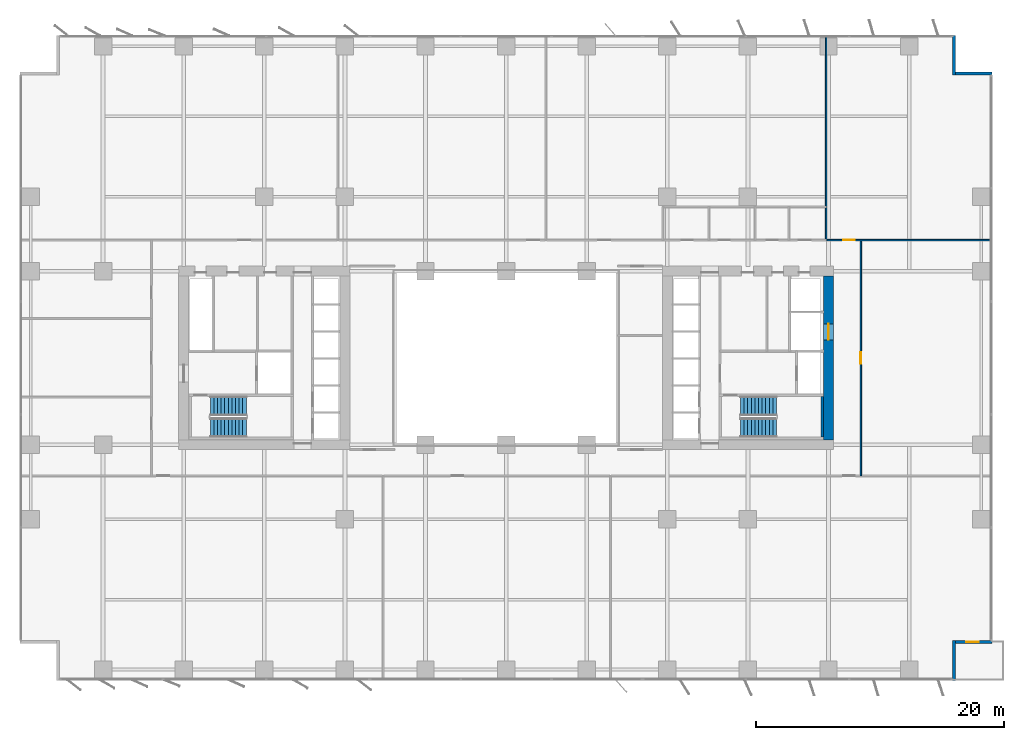
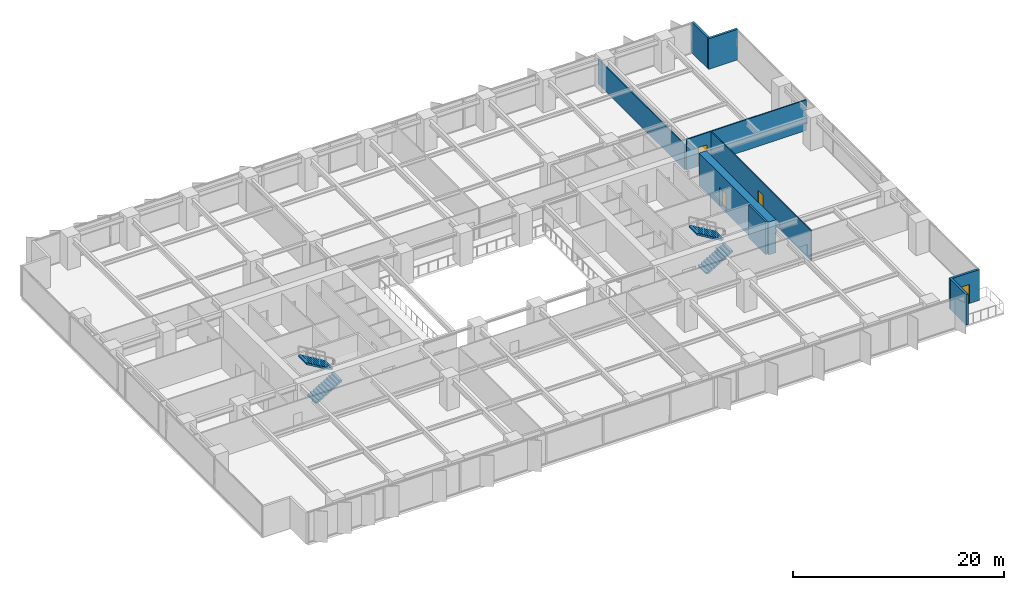
# One storey, part 16 of 20: 9 walls, 4 doors, 4 stair flights, 4 openings, 2 elements without a shape of their own.
"""IFC4 building model written with IfcOpenShell, lengths in metres."""

from ifc_helpers import new_model, si_unit, direction, frame, frame_2d, origin, place, context, subcontext, project, spatial, polyline, rectangle, outline, extrude, material, layer, layer_set, type_object, element, fill, aggregate, save


model = new_model("IFC4")

# Units and contexts
model_context = context("Model", 3, precision=1e-05, world=origin(), true_north=direction((0.0, 1.0)))
body_context = subcontext(model_context, "Body", "Model", "MODEL_VIEW")
ifc_project = project(units=[si_unit("LENGTHUNIT", "METRE"), si_unit("AREAUNIT", "SQUARE_METRE"), si_unit("VOLUMEUNIT", "CUBIC_METRE"), si_unit("PLANEANGLEUNIT", "RADIAN"), si_unit("MASSUNIT", "GRAM", prefix="KILO")], contexts=[model_context])

# Site, building, storey
site_placement = place(None, origin())
site = spatial("IfcSite", under=ifc_project, at=site_placement, CompositionType="ELEMENT")
building_placement = place(site_placement, origin())
building = spatial("IfcBuilding", under=site, at=building_placement, Name="Putna Gate Headquarters", CompositionType="ELEMENT")
storey_placement = place(building_placement, frame((0.0, 0.0, 54.39990234375)))
storey = spatial("IfcBuildingStorey", under=building, at=storey_placement, Name="L12", CompositionType="ELEMENT", Elevation=54.39990234375)

# Wall, opening, door
ifc_material_1 = material(Name="Concrete C60/75", Category="concrete")
ifc_layer_1 = layer(ifc_material_1, 0.800048828125)
ifc_layer_set_1 = layer_set([ifc_layer_1], Name="Concrete C60/75")
wall_type_1 = type_object("IfcWallType", Name="WALL-CORE-800", PredefinedType="SHEAR", material=ifc_layer_set_1)
wall_1_placement = place(storey_placement, frame((65.0, 19.39990234375, 0.0), z_axis=(0.0, 0.0, 1.0), x_axis=(0.0, 1.0, 0.0)))
wall_1 = element("IfcWall", 1, at=wall_1_placement, inside=storey, type_object=wall_type_1, Name="L12 EC Split Core Shear Wall E", PredefinedType="SHEAR", context=body_context, shape_type="SweptSolid", body=[
    extrude(rectangle(XDim=13.2001953125, YDim=0.800048828125, at=frame_2d((6.60009765625, 0.0))), origin(), (0.0, 0.0, 1.0), 3.800048828125),
])
opening_1_placement = place(wall_1_placement, frame((8.050048828125, 0.0, 0.0)))
opening_1 = element("IfcOpeningElement", 2, at=opening_1_placement, cuts=wall_1, Name="Opening LD-2", PredefinedType="OPENING", context=body_context, shape_type="SweptSolid", body=[
    extrude(rectangle(XDim=1.300048828125, YDim=2.199951171875, at=frame_2d((0.64990234375, 1.10009765625))), frame((0.0, 0.409912109375, 0.0), z_axis=(0.0, -1.0, 0.0), x_axis=(1.0, 0.0, 0.0)), (0.0, 0.0, 1.0), 0.820068359375),
])
ifc_material_2 = material(Name="Heavy-duty goods lift sliding landing door")
door_type_1 = type_object("IfcDoorType", Name="DOOR-LIFT-1300", OperationType="DOUBLE_DOOR_SLIDING", PredefinedType="DOOR", material=ifc_material_2)
door_1_placement = place(opening_1_placement, origin())
door_1 = element("IfcDoor", 3, at=door_1_placement, inside=storey, type_object=door_type_1, Name="L12 Goods Lift Landing Door LD-15", OperationType="DOUBLE_DOOR_SLIDING", OverallHeight=2.199951171875, OverallWidth=1.300048828125, PredefinedType="DOOR", context=body_context, shape_type="SweptSolid", body=[
    extrude(rectangle(XDim=1.300048828125, YDim=2.199951171875, at=frame_2d((0.64990234375, 1.10009765625))), frame((0.0, 0.02490234375, 0.0), z_axis=(0.0, -1.0, 0.0), x_axis=(1.0, 0.0, 0.0)), (0.0, 0.0, 1.0), 0.050048828125),
])
fill(opening_1, door_1)

# Walls
ifc_material_3 = material(Name="Precast concrete C40/50", Category="concrete")
ifc_layer_2 = layer(ifc_material_3, 0.239990234375)
ifc_layer_set_2 = layer_set([ifc_layer_2], Name="Precast concrete C40/50")
wall_type_2 = type_object("IfcWallType", Name="WALL-EXT-TERR-240", PredefinedType="STANDARD", material=ifc_layer_set_2)
for number, where, z_axis, x_axis, name in (
    (4, (75.1201171875, 52.0, 0.0), (0.0, 0.0, 1.0), (0.0, -1.0, 0.0), "L12 Corner Notch Return Wall NE-V"),
    (5, (75.0, 48.919921875, 0.0), (0.0, 0.0, 1.0), (1.0, 0.0, 0.0), "L12 Corner Notch Return Wall NE-H"),
    (6, (75.1201171875, 3.199951171875, 0.0), (0.0, 0.0, 1.0), (0.0, -1.0, 0.0), "L12 Corner Notch Return Wall SE-V"),
):
    element("IfcWall", number, at=place(storey_placement, frame(where, z_axis=z_axis, x_axis=x_axis)), inside=storey, type_object=wall_type_2, Name=name, PredefinedType="STANDARD", context=body_context, shape_type="SweptSolid", body=[
        extrude(rectangle(XDim=3.199951171875, YDim=0.239990234375, at=frame_2d((1.60009765625, 0.0))), origin(), (0.0, 0.0, 1.0), 3.550048828125),
    ])

# Wall, opening, door
wall_2_placement = place(storey_placement, frame((78.199951171875, 3.080078125, 0.0), z_axis=(0.0, 0.0, 1.0), x_axis=(-1.0, 0.0, 0.0)))
wall_2 = element("IfcWall", 7, at=wall_2_placement, inside=storey, type_object=wall_type_2, Name="L12 Corner Notch Return Wall SE-H", PredefinedType="STANDARD", context=body_context, shape_type="SweptSolid", body=[
    extrude(rectangle(XDim=3.199951171875, YDim=0.239990234375, at=frame_2d((1.60009765625, 0.0))), origin(), (0.0, 0.0, 1.0), 3.550048828125),
])
opening_2_placement = place(wall_2_placement, frame((1.10009765625, 0.0, 0.0)))
opening_2 = element("IfcOpeningElement", 8, at=opening_2_placement, cuts=wall_2, Name="Opening TRD-1", PredefinedType="OPENING", context=body_context, shape_type="SweptSolid", body=[
    extrude(rectangle(XDim=1.0, YDim=2.199951171875, at=frame_2d((0.5, 1.10009765625))), frame((0.0, 0.1298828125, 0.0), z_axis=(0.0, -1.0, 0.0), x_axis=(1.0, 0.0, 0.0)), (0.0, 0.0, 1.0), 0.260009765625),
])
ifc_material_4 = material(Name="Thermally broken bronze glazed terrace door")
door_type_2 = type_object("IfcDoorType", Name="DOOR-TERR-EXT-1000", OperationType="NOTDEFINED", PredefinedType="DOOR", material=ifc_material_4)
door_2_placement = place(opening_2_placement, origin())
door_2 = element("IfcDoor", 9, at=door_2_placement, inside=storey, type_object=door_type_2, Name="L12 Spiral Sky Terrace Door SE", OperationType="SINGLE_SWING_RIGHT", OverallHeight=2.199951171875, OverallWidth=1.0, PredefinedType="DOOR", context=body_context, shape_type="SweptSolid", body=[
    extrude(rectangle(XDim=1.0, YDim=2.199951171875, at=frame_2d((0.5, 1.10009765625))), frame((0.0, 0.02490234375, 0.0), z_axis=(0.0, -1.0, 0.0), x_axis=(1.0, 0.0, 0.0)), (0.0, 0.0, 1.0), 0.050048828125),
])
fill(opening_2, door_2)

# Wall
ifc_material_5 = material(Name="Acoustic gypsum board on metal stud")
ifc_layer_3 = layer(ifc_material_5, 0.1201171875)
ifc_layer_set_3 = layer_set([ifc_layer_3], Name="Acoustic gypsum board on metal stud")
wall_type_3 = type_object("IfcWallType", Name="WALL-PART-120", PredefinedType="PARTITIONING", material=ifc_layer_set_3)
wall_3_placement = place(storey_placement, frame((64.800048828125, 35.56005859375, 0.0), z_axis=(0.0, 0.0, 1.0), x_axis=(0.0, 1.0, 0.0)))
element("IfcWall", 10, at=wall_3_placement, inside=storey, type_object=wall_type_3, Name="L12 Interior Wall PART-L12-NB-DIV-03", PredefinedType="PARTITIONING", context=body_context, shape_type="SweptSolid", body=[
    extrude(rectangle(XDim=16.419921875, YDim=0.1201171875, at=frame_2d((8.2099609375, 0.0))), origin(), (0.0, 0.0, 1.0), 2.900146484375),
])

# Wall, opening, door
ifc_material_6 = material(Name="Fire-rated gypsum board on metal stud")
ifc_layer_4 = layer(ifc_material_6, 0.1201171875)
ifc_layer_set_4 = layer_set([ifc_layer_4], Name="Fire-rated gypsum board on metal stud")
wall_type_4 = type_object("IfcWallType", Name="WALL-PART-120-RATED", PredefinedType="PARTITIONING", material=ifc_layer_set_4)
wall_4_placement = place(storey_placement, frame((64.860107421875, 35.5, 0.0), z_axis=(0.0, 0.0, 1.0), x_axis=(1.0, 0.0, 0.0)))
wall_4 = element("IfcWall", 11, at=wall_4_placement, inside=storey, type_object=wall_type_4, Name="L12 Interior Wall PART-L12-NB-CW-04", PredefinedType="PARTITIONING", context=body_context, shape_type="SweptSolid", body=[
    extrude(rectangle(XDim=13.159912109375, YDim=0.1201171875, at=frame_2d((6.580078125, 0.0))), origin(), (0.0, 0.0, 1.0), 3.550048828125),
])
opening_3_placement = place(wall_4_placement, frame((1.31005859375, 0.0, 0.0)))
opening_3 = element("IfcOpeningElement", 12, at=opening_3_placement, cuts=wall_4, Name="Opening FD-95", PredefinedType="OPENING", context=body_context, shape_type="SweptSolid", body=[
    extrude(rectangle(XDim=0.949951171875, YDim=2.14990234375, at=frame_2d((0.47509765625, 1.074951171875))), frame((0.0, 0.070068359375, 0.0), z_axis=(0.0, -1.0, 0.0), x_axis=(1.0, 0.0, 0.0)), (0.0, 0.0, 1.0), 0.14013671875),
])
ifc_material_7 = material(Name="Acoustic timber fire door", Category="wood")
door_type_3 = type_object("IfcDoorType", Name="DOOR-FIRE-950", OperationType="NOTDEFINED", PredefinedType="DOOR", material=ifc_material_7)
door_3_placement = place(opening_3_placement, origin())
door_3 = element("IfcDoor", 13, at=door_3_placement, inside=storey, type_object=door_type_3, Name="L12 Cellular Office 2 Door", OperationType="SINGLE_SWING_LEFT", OverallHeight=2.14990234375, OverallWidth=0.949951171875, PredefinedType="DOOR", context=body_context, shape_type="SweptSolid", body=[
    extrude(rectangle(XDim=0.949951171875, YDim=2.14990234375, at=frame_2d((0.47509765625, 1.074951171875))), frame((0.0, 0.02490234375, 0.0), z_axis=(0.0, -1.0, 0.0), x_axis=(1.0, 0.0, 0.0)), (0.0, 0.0, 1.0), 0.050048828125),
])
fill(opening_3, door_3)

wall_5_placement = place(storey_placement, frame((67.60009765625, 16.5, 0.0), z_axis=(0.0, 0.0, 1.0), x_axis=(0.0, 1.0, 0.0)))
wall_5 = element("IfcWall", 14, at=wall_5_placement, inside=storey, type_object=wall_type_4, Name="L12 Interior Wall PART-L12-EW-CW-1", PredefinedType="PARTITIONING", context=body_context, shape_type="SweptSolid", body=[
    extrude(rectangle(XDim=19.0, YDim=0.1201171875, at=frame_2d((9.5, 0.0))), origin(), (0.0, 0.0, 1.0), 3.550048828125),
])
opening_4_placement = place(wall_5_placement, frame((9.02490234375, 0.0, 0.0)))
opening_4 = element("IfcOpeningElement", 15, at=opening_4_placement, cuts=wall_5, Name="Opening FD-95", PredefinedType="OPENING", context=body_context, shape_type="SweptSolid", body=[
    extrude(rectangle(XDim=0.949951171875, YDim=2.14990234375, at=frame_2d((0.47509765625, 1.074951171875))), frame((0.0, 0.070068359375, 0.0), z_axis=(0.0, -1.0, 0.0), x_axis=(1.0, 0.0, 0.0)), (0.0, 0.0, 1.0), 0.14013671875),
])
door_4_placement = place(opening_4_placement, origin())
door_4 = element("IfcDoor", 16, at=door_4_placement, inside=storey, type_object=door_type_3, Name="L12 East Horizon Conference Room 1 Door", OperationType="SINGLE_SWING_RIGHT", OverallHeight=2.14990234375, OverallWidth=0.949951171875, PredefinedType="DOOR", context=body_context, shape_type="SweptSolid", body=[
    extrude(rectangle(XDim=0.949951171875, YDim=2.14990234375, at=frame_2d((0.47509765625, 1.074951171875))), frame((0.0, 0.02490234375, 0.0), z_axis=(0.0, -1.0, 0.0), x_axis=(1.0, 0.0, 0.0)), (0.0, 0.0, 1.0), 0.050048828125),
])
fill(opening_4, door_4)

# Wall
ifc_material_8 = material(Name="Concrete C40/50", Category="concrete")
ifc_layer_5 = layer(ifc_material_8, 0.199951171875)
ifc_layer_set_5 = layer_set([ifc_layer_5], Name="Concrete C40/50")
wall_type_5 = type_object("IfcWallType", Name="WALL-SHAFT-RC200", PredefinedType="SHEAR", material=ifc_layer_set_5)
wall_6_placement = place(storey_placement, frame((64.489990234375, 19.610107421875, 0.0), z_axis=(0.0, 0.0, 1.0), x_axis=(0.0, 1.0, 0.0)))
element("IfcWall", 17, at=wall_6_placement, inside=storey, type_object=wall_type_5, Name="L12 Stair ST2 Structural Shaft Wall E", PredefinedType="SHEAR", context=body_context, shape_type="SweptSolid", body=[
    extrude(rectangle(XDim=3.27978515625, YDim=0.199951171875, at=frame_2d((1.639892578125, 0.0))), origin(), (0.0, 0.0, 1.0), 3.800048828125),
])

# Stair, stair flights
stair_type_1 = type_object("IfcStairType", Name="STAIR-ST1", PredefinedType="HALF_TURN_STAIR", material=ifc_material_8)
stair_1_placement = place(storey_placement, origin())
stair_1 = element("IfcStair", 18, at=stair_1_placement, inside=storey, type_object=stair_type_1, Name="L12 West Core Exit Stair ST1", PredefinedType="HALF_TURN_STAIR")
stair_flight_type_1 = type_object("IfcStairFlightType", Name="FLIGHT-ST1", PredefinedType="STRAIGHT", material=ifc_material_8)
stair_flight_1_placement = place(storey_placement, frame((15.14990234375, 20.375, 0.0), z_axis=(0.0, 0.0, 1.0), x_axis=(1.0, 0.0, 0.0)))
stair_flight_1 = element("IfcStairFlight", 19, at=stair_flight_1_placement, type_object=stair_flight_type_1, Name="ST1 flight 1", NumberOfRisers=11, NumberOfTreads=10, PredefinedType="STRAIGHT", RiserHeight=0.172727273, TreadLength=0.29, context=body_context, shape_type="SweptSolid", body=[
    extrude(outline(polyline([(0.0, 0.0), (0.0, 0.172607421875), (0.2900390625, 0.172607421875), (0.2900390625, 0.345458984375), (0.580078125, 0.345458984375), (0.580078125, 0.51806640625), (0.8701171875, 0.51806640625), (0.8701171875, 0.69091796875), (1.159912109375, 0.69091796875), (1.159912109375, 0.863525390625), (1.449951171875, 0.863525390625), (1.449951171875, 1.036376953125), (1.739990234375, 1.036376953125), (1.739990234375, 1.208984375), (2.030029296875, 1.208984375), (2.030029296875, 1.3818359375), (2.320068359375, 1.3818359375), (2.320068359375, 1.554443359375), (2.610107421875, 1.554443359375), (2.610107421875, 1.727294921875), (2.89990234375, 1.727294921875), (2.89990234375, 1.89990234375), (2.89990234375, 1.552734375), (0.29296875, 0.0), (0.0, 0.0)])), frame((0.0, 0.77490234375, 0.0), z_axis=(0.0, -1.0, 0.0), x_axis=(1.0, 0.0, 0.0)), (0.0, 0.0, 1.0), 1.550048828125),
])
stair_flight_2_placement = place(storey_placement, frame((18.050048828125, 22.125, 1.900146484375), z_axis=(0.0, 0.0, 1.0), x_axis=(-1.0, 0.0, 0.0)))
stair_flight_2 = element("IfcStairFlight", 20, at=stair_flight_2_placement, type_object=stair_flight_type_1, Name="ST1 flight 2", NumberOfRisers=11, NumberOfTreads=10, PredefinedType="STRAIGHT", RiserHeight=0.172727273, TreadLength=0.29, context=body_context, shape_type="SweptSolid", body=[
    extrude(outline(polyline([(0.0, 0.0), (0.0, 0.172607421875), (0.2900390625, 0.172607421875), (0.2900390625, 0.345458984375), (0.580078125, 0.345458984375), (0.580078125, 0.51806640625), (0.8701171875, 0.51806640625), (0.8701171875, 0.69091796875), (1.159912109375, 0.69091796875), (1.159912109375, 0.863525390625), (1.449951171875, 0.863525390625), (1.449951171875, 1.036376953125), (1.739990234375, 1.036376953125), (1.739990234375, 1.208984375), (2.030029296875, 1.208984375), (2.030029296875, 1.3818359375), (2.320068359375, 1.3818359375), (2.320068359375, 1.554443359375), (2.610107421875, 1.554443359375), (2.610107421875, 1.727294921875), (2.89990234375, 1.727294921875), (2.89990234375, 1.89990234375), (2.89990234375, 1.552734375), (0.29296875, 0.0), (0.0, 0.0)])), frame((0.0, 0.77490234375, 0.0), z_axis=(0.0, -1.0, 0.0), x_axis=(1.0, 0.0, 0.0)), (0.0, 0.0, 1.0), 1.550048828125),
])
aggregate(stair_1, [stair_flight_1, stair_flight_2])

stair_type_2 = type_object("IfcStairType", Name="STAIR-ST2", PredefinedType="HALF_TURN_STAIR", material=ifc_material_8)
stair_2_placement = place(storey_placement, origin())
stair_2 = element("IfcStair", 21, at=stair_2_placement, inside=storey, type_object=stair_type_2, Name="L12 East Core Exit Stair ST2", PredefinedType="HALF_TURN_STAIR")
stair_flight_type_2 = type_object("IfcStairFlightType", Name="FLIGHT-ST2", PredefinedType="STRAIGHT", material=ifc_material_8)
stair_flight_3_placement = place(storey_placement, frame((57.89990234375, 20.375, 0.0), z_axis=(0.0, 0.0, 1.0), x_axis=(1.0, 0.0, 0.0)))
stair_flight_3 = element("IfcStairFlight", 22, at=stair_flight_3_placement, type_object=stair_flight_type_2, Name="ST2 flight 1", NumberOfRisers=11, NumberOfTreads=10, PredefinedType="STRAIGHT", RiserHeight=0.172727273, TreadLength=0.29, context=body_context, shape_type="SweptSolid", body=[
    extrude(outline(polyline([(0.0, 0.0), (0.0, 0.172607421875), (0.2900390625, 0.172607421875), (0.2900390625, 0.345458984375), (0.580078125, 0.345458984375), (0.580078125, 0.51806640625), (0.8701171875, 0.51806640625), (0.8701171875, 0.69091796875), (1.159912109375, 0.69091796875), (1.159912109375, 0.863525390625), (1.449951171875, 0.863525390625), (1.449951171875, 1.036376953125), (1.739990234375, 1.036376953125), (1.739990234375, 1.208984375), (2.030029296875, 1.208984375), (2.030029296875, 1.3818359375), (2.320068359375, 1.3818359375), (2.320068359375, 1.554443359375), (2.610107421875, 1.554443359375), (2.610107421875, 1.727294921875), (2.89990234375, 1.727294921875), (2.89990234375, 1.89990234375), (2.89990234375, 1.552734375), (0.29296875, 0.0), (0.0, 0.0)])), frame((0.0, 0.77490234375, 0.0), z_axis=(0.0, -1.0, 0.0), x_axis=(1.0, 0.0, 0.0)), (0.0, 0.0, 1.0), 1.550048828125),
])
stair_flight_4_placement = place(storey_placement, frame((60.800048828125, 22.125, 1.900146484375), z_axis=(0.0, 0.0, 1.0), x_axis=(-1.0, 0.0, 0.0)))
stair_flight_4 = element("IfcStairFlight", 23, at=stair_flight_4_placement, type_object=stair_flight_type_2, Name="ST2 flight 2", NumberOfRisers=11, NumberOfTreads=10, PredefinedType="STRAIGHT", RiserHeight=0.172727273, TreadLength=0.29, context=body_context, shape_type="SweptSolid", body=[
    extrude(outline(polyline([(0.0, 0.0), (0.0, 0.172607421875), (0.2900390625, 0.172607421875), (0.2900390625, 0.345458984375), (0.580078125, 0.345458984375), (0.580078125, 0.51806640625), (0.8701171875, 0.51806640625), (0.8701171875, 0.69091796875), (1.159912109375, 0.69091796875), (1.159912109375, 0.863525390625), (1.449951171875, 0.863525390625), (1.449951171875, 1.036376953125), (1.739990234375, 1.036376953125), (1.739990234375, 1.208984375), (2.030029296875, 1.208984375), (2.030029296875, 1.3818359375), (2.320068359375, 1.3818359375), (2.320068359375, 1.554443359375), (2.610107421875, 1.554443359375), (2.610107421875, 1.727294921875), (2.89990234375, 1.727294921875), (2.89990234375, 1.89990234375), (2.89990234375, 1.552734375), (0.29296875, 0.0), (0.0, 0.0)])), frame((0.0, 0.77490234375, 0.0), z_axis=(0.0, -1.0, 0.0), x_axis=(1.0, 0.0, 0.0)), (0.0, 0.0, 1.0), 1.550048828125),
])
aggregate(stair_2, [stair_flight_3, stair_flight_4])

save(model, "model.ifc")
